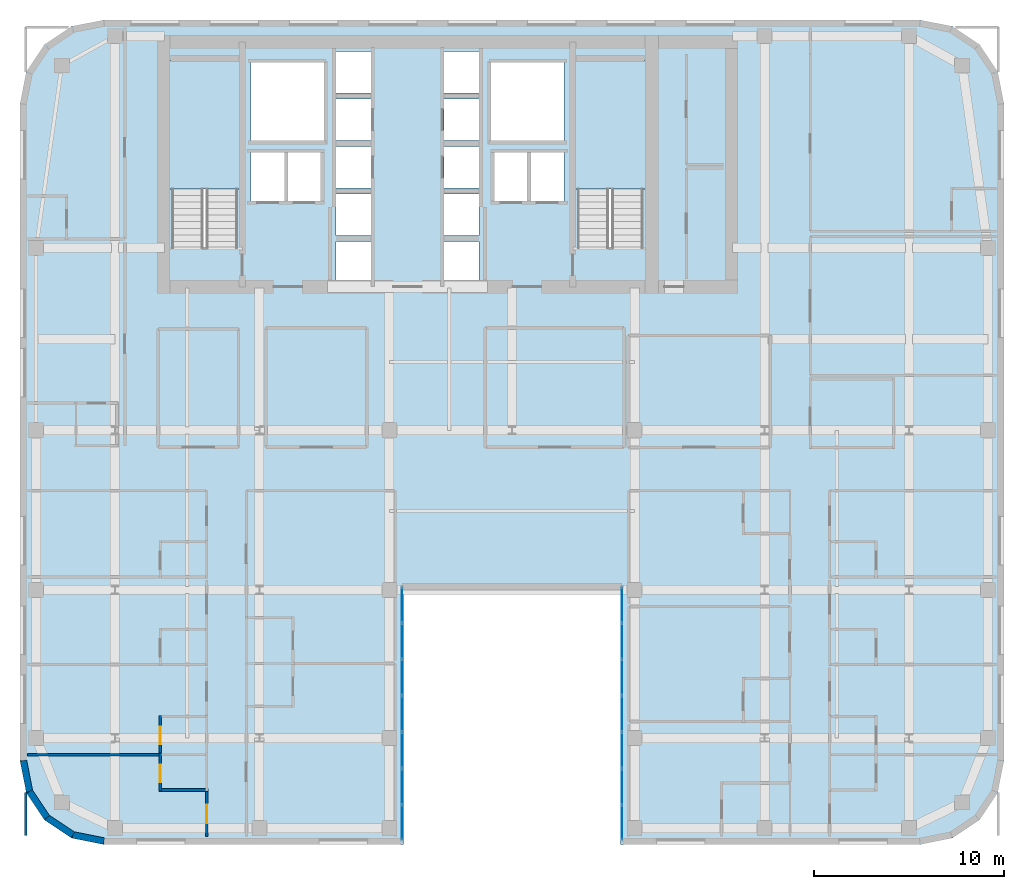
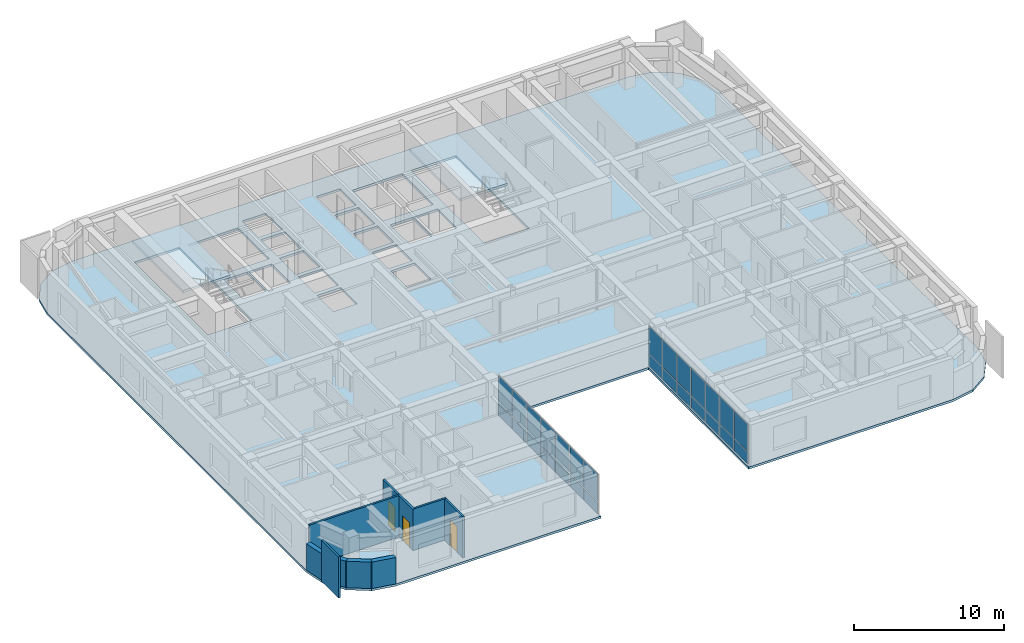
# One storey, part 6 of 14: 28 plates, 10 walls, 3 doors, 3 slabs, 3 openings, 4 elements without a shape of their own.
"""IFC4 building model written with IfcOpenShell, lengths in metres."""

from ifc_helpers import new_model, si_unit, direction, frame, frame_2d, origin, origin_2d, place, context, subcontext, project, spatial, polyline, rectangle, outline, extrude, source, transform, mapped, material, layer, layer_set, type_object, type_shapes, element, fill, aggregate, save


model = new_model("IFC4")

# Units and contexts
model_context = context("Model", 3, precision=1e-05, world=origin(), true_north=direction((0.0, 1.0)))
body_context = subcontext(model_context, "Body", "Model", "MODEL_VIEW")
ifc_project = project(units=[si_unit("LENGTHUNIT", "METRE"), si_unit("AREAUNIT", "SQUARE_METRE"), si_unit("VOLUMEUNIT", "CUBIC_METRE"), si_unit("PLANEANGLEUNIT", "RADIAN"), si_unit("MASSUNIT", "GRAM", prefix="KILO")], contexts=[model_context])

# Site, building, storey
site_placement = place(None, origin())
site = spatial("IfcSite", under=ifc_project, at=site_placement, CompositionType="ELEMENT")
building_placement = place(site_placement, origin())
building = spatial("IfcBuilding", under=site, at=building_placement, Name="Tolvann Quenvar Hotel", CompositionType="ELEMENT")
storey_placement = place(building_placement, frame((0.0, 0.0, 150.60009765625)))
storey = spatial("IfcBuildingStorey", under=building, at=storey_placement, Name="L39", CompositionType="ELEMENT", Elevation=150.60009765625)

# Stair, slab
ifc_material_1 = material(Name="Concrete N40 (40 MPa)", Category="concrete")
stair_type = type_object("IfcStairType", Name="STAIR", PredefinedType="HALF_TURN_STAIR", material=ifc_material_1)
stair_1_placement = place(storey_placement, origin())
stair_1 = element("IfcStair", 1, at=stair_1_placement, inside=storey, type_object=stair_type, Name="L39 ST-C1", PredefinedType="HALF_TURN_STAIR")
ifc_layer_1 = layer(ifc_material_1, 0.199951171875)
ifc_layer_set_1 = layer_set([ifc_layer_1], Name="Concrete N40 (40 MPa)")
slab_type_1 = type_object("IfcSlabType", Name="SLAB_LANDING", PredefinedType="LANDING", material=ifc_layer_set_1)
slab_1_placement = place(storey_placement, frame((0.0, 0.0, 1.574951171875)))
slab_1 = element("IfcSlab", 2, at=slab_1_placement, type_object=slab_type_1, Name="ST-C1 landing 1", PredefinedType="LANDING", context=body_context, shape_type="SweptSolid", body=[
    extrude(outline(polyline([(14.179931640625, 37.10498046875), (14.179931640625, 43.8798828125), (10.469970703125, 43.8798828125), (10.469970703125, 37.10498046875), (14.179931640625, 37.10498046875)])), origin(), (0.0, 0.0, 1.0), 0.199951171875),
])
aggregate(stair_1, [slab_1])

stair_2_placement = place(storey_placement, origin())
stair_2 = element("IfcStair", 3, at=stair_2_placement, inside=storey, type_object=stair_type, Name="L39 ST-C2", PredefinedType="HALF_TURN_STAIR")
slab_2_placement = place(storey_placement, frame((0.0, 0.0, 1.574951171875)))
slab_2 = element("IfcSlab", 4, at=slab_2_placement, type_object=slab_type_1, Name="ST-C2 landing 1", PredefinedType="LANDING", context=body_context, shape_type="SweptSolid", body=[
    extrude(outline(polyline([(35.530029296875, 37.10498046875), (35.530029296875, 43.8798828125), (31.820068359375, 43.8798828125), (31.820068359375, 37.10498046875), (35.530029296875, 37.10498046875)])), origin(), (0.0, 0.0, 1.0), 0.199951171875),
])
aggregate(stair_2, [slab_2])

# Slab
ifc_layer_2 = layer(ifc_material_1, 0.179931640625)
ifc_layer_set_2 = layer_set([ifc_layer_2], Name="Concrete N40 (40 MPa)")
slab_type_2 = type_object("IfcSlabType", Name="SLAB_TWR_180", PredefinedType="FLOOR", material=ifc_layer_set_2)
slab_3_placement = place(storey_placement, frame((0.0, 0.0, -0.18017578125)))
element("IfcSlab", 5, at=slab_3_placement, inside=storey, type_object=slab_type_2, Name="Level L39 Structural Floor Slab", PredefinedType="FLOOR", context=body_context, shape_type="SweptSolid", body=[
    extrude(outline(polyline([(2.60009765625, 7.0), (2.934814453125, 5.316162109375), (3.888671875, 3.888671875), (5.316162109375, 2.934814453125), (7.0, 2.60009765625), (22.800048828125, 2.60009765625), (22.800048828125, 16.0), (34.199951171875, 16.0), (34.199951171875, 2.60009765625), (50.0, 2.60009765625), (51.683837890625, 2.934814453125), (53.111328125, 3.888671875), (54.065185546875, 5.316162109375), (54.39990234375, 7.0), (54.39990234375, 41.60009765625), (54.065185546875, 43.28369140625), (53.111328125, 44.711181640625), (51.683837890625, 45.6650390625), (50.0, 46.0), (7.0, 46.0), (5.316162109375, 45.6650390625), (3.888671875, 44.711181640625), (2.934814453125, 43.28369140625), (2.60009765625, 41.60009765625), (2.60009765625, 7.0)]), holes=[polyline([(31.949951171875, 34.02490234375), (31.949951171875, 43.800048828125), (35.39990234375, 43.800048828125), (35.39990234375, 34.02490234375), (31.949951171875, 34.02490234375)]), polyline([(29.449951171875, 39.02001953125), (31.25, 39.02001953125), (31.25, 36.47998046875), (29.449951171875, 36.47998046875), (29.449951171875, 39.02001953125)]), polyline([(31.25, 43.75), (31.25, 39.64990234375), (27.39990234375, 39.64990234375), (27.39990234375, 43.75), (31.25, 43.75)]), polyline([(27.574951171875, 39.02001953125), (29.324951171875, 39.02001953125), (29.324951171875, 36.47998046875), (27.574951171875, 36.47998046875), (27.574951171875, 39.02001953125)]), polyline([(26.77001953125, 44.340087890625), (26.77001953125, 42.159912109375), (24.929931640625, 42.159912109375), (24.929931640625, 44.340087890625), (26.77001953125, 44.340087890625)]), polyline([(24.929931640625, 41.840087890625), (26.77001953125, 41.840087890625), (26.77001953125, 39.659912109375), (24.929931640625, 39.659912109375), (24.929931640625, 41.840087890625)]), polyline([(24.929931640625, 39.340087890625), (26.77001953125, 39.340087890625), (26.77001953125, 37.159912109375), (24.929931640625, 37.159912109375), (24.929931640625, 39.340087890625)]), polyline([(24.929931640625, 36.840087890625), (26.77001953125, 36.840087890625), (26.77001953125, 34.659912109375), (24.929931640625, 34.659912109375), (24.929931640625, 36.840087890625)]), polyline([(24.929931640625, 34.340087890625), (26.77001953125, 34.340087890625), (26.77001953125, 32.159912109375), (24.929931640625, 32.159912109375), (24.929931640625, 34.340087890625)]), polyline([(21.070068359375, 44.340087890625), (21.070068359375, 42.159912109375), (19.22998046875, 42.159912109375), (19.22998046875, 44.340087890625), (21.070068359375, 44.340087890625)]), polyline([(19.22998046875, 41.840087890625), (21.070068359375, 41.840087890625), (21.070068359375, 39.659912109375), (19.22998046875, 39.659912109375), (19.22998046875, 41.840087890625)]), polyline([(19.22998046875, 39.340087890625), (21.070068359375, 39.340087890625), (21.070068359375, 37.159912109375), (19.22998046875, 37.159912109375), (19.22998046875, 39.340087890625)]), polyline([(19.22998046875, 36.840087890625), (21.070068359375, 36.840087890625), (21.070068359375, 34.659912109375), (19.22998046875, 34.659912109375), (19.22998046875, 36.840087890625)]), polyline([(19.22998046875, 34.340087890625), (21.070068359375, 34.340087890625), (21.070068359375, 32.159912109375), (19.22998046875, 32.159912109375), (19.22998046875, 34.340087890625)]), polyline([(18.60009765625, 43.75), (18.60009765625, 39.64990234375), (14.75, 39.64990234375), (14.75, 43.75), (18.60009765625, 43.75)]), polyline([(16.675048828125, 39.02001953125), (18.425048828125, 39.02001953125), (18.425048828125, 36.47998046875), (16.675048828125, 36.47998046875), (16.675048828125, 39.02001953125)]), polyline([(14.75, 39.02001953125), (16.550048828125, 39.02001953125), (16.550048828125, 36.47998046875), (14.75, 36.47998046875), (14.75, 39.02001953125)]), polyline([(10.60009765625, 34.02490234375), (10.60009765625, 43.800048828125), (14.050048828125, 43.800048828125), (14.050048828125, 34.02490234375), (10.60009765625, 34.02490234375)])]), origin(), (0.0, 0.0, 1.0), 0.18017578125),
])

# Curtain wall, plates
ifc_material_2 = material(Name="Thermally broken anodised architectural aluminium 6063-T6 and laminated low-E glass", Category="aluminium")
ifc_layer_3 = layer(ifc_material_2, 0.179931640625)
ifc_layer_set_3 = layer_set([ifc_layer_3], Name="Thermally broken anodised architectural aluminium 6063-T6 and laminated low-E glass")
curtain_wall_type = type_object("IfcCurtainWallType", Name="CW_SYS_SLOT_03", PredefinedType="USERDEFINED", material=ifc_layer_set_3)
curtain_wall_1_placement = place(storey_placement, origin())
curtain_wall_1 = element("IfcCurtainWall", 6, at=curtain_wall_1_placement, inside=storey, type_object=curtain_wall_type, Name="Curtain Wall CW-SLOT-03 (CWR-L39-E05)", ObjectType="UNITISED CURTAIN WALL", PredefinedType="USERDEFINED")
ifc_material_3 = material(Name="Low-iron laminated double glazing with solar-control coating", Category="glass")
ifc_layer_4 = layer(ifc_material_3, 0.028076171875)
ifc_layer_set_4 = layer_set([ifc_layer_4], Name="Low-iron laminated double glazing with solar-control coating")
plate_type = type_object("IfcPlateType", Name="CW_PAN_VISION_28", PredefinedType="CURTAIN_PANEL", material=ifc_layer_set_4)
shared_shape_1 = source(origin(), body_context, "Body", "SweptSolid", [
    extrude(rectangle(XDim=1.809326171875, YDim=0.028076171875, at=origin_2d()), origin(), (0.0, 0.0, 1.0), 0.9599609375),
])
plate_1_placement = place(storey_placement, frame((22.7099609375, 3.749755859375, 0.059814453125), z_axis=(0.0, 0.0, 1.0), x_axis=(0.0, 1.0, 0.0)))
plate_1 = element("IfcPlate", 7, at=plate_1_placement, type_object=plate_type, Name="CW-SLOT-03 panel 1.1", PredefinedType="CURTAIN_PANEL", context=body_context, shape_type="MappedRepresentation", body=[
    mapped(shared_shape_1, transform((0.0, 0.0, 0.0), x_axis=(1.0, 0.0, 0.0), y_axis=(0.0, 1.0, 0.0), z_axis=(0.0, 0.0, 1.0), scale=1.0)),
])
plate_2_placement = place(storey_placement, frame((22.7099609375, 15.200439453125, 0.059814453125), z_axis=(0.0, 0.0, 1.0), x_axis=(0.0, 1.0, 0.0)))
plate_2 = element("IfcPlate", 8, at=plate_2_placement, type_object=plate_type, Name="CW-SLOT-03 panel 7.1", PredefinedType="CURTAIN_PANEL", context=body_context, shape_type="MappedRepresentation", body=[
    mapped(shared_shape_1, transform((0.0, 0.0, 0.0), x_axis=(1.0, 0.0, 0.0), y_axis=(0.0, 1.0, 0.0), z_axis=(0.0, 0.0, 1.0), scale=1.0)),
])

curtain_wall_2_placement = place(storey_placement, origin())
curtain_wall_2 = element("IfcCurtainWall", 9, at=curtain_wall_2_placement, inside=storey, type_object=curtain_wall_type, Name="Curtain Wall CW-SLOT-03 (CWR-L39-E07)", ObjectType="UNITISED CURTAIN WALL", PredefinedType="USERDEFINED")
plate_3_placement = place(storey_placement, frame((34.2900390625, 15.200439453125, 0.059814453125), z_axis=(0.0, 0.0, 1.0), x_axis=(0.0, -1.0, 0.0)))
plate_3 = element("IfcPlate", 10, at=plate_3_placement, type_object=plate_type, Name="CW-SLOT-03 panel 1.1", PredefinedType="CURTAIN_PANEL", context=body_context, shape_type="MappedRepresentation", body=[
    mapped(shared_shape_1, transform((0.0, 0.0, 0.0), x_axis=(1.0, 0.0, 0.0), y_axis=(0.0, 1.0, 0.0), z_axis=(0.0, 0.0, 1.0), scale=1.0)),
])
plate_4_placement = place(storey_placement, frame((34.2900390625, 3.749755859375, 0.059814453125), z_axis=(0.0, 0.0, 1.0), x_axis=(0.0, -1.0, 0.0)))
plate_4 = element("IfcPlate", 11, at=plate_4_placement, type_object=plate_type, Name="CW-SLOT-03 panel 7.1", PredefinedType="CURTAIN_PANEL", context=body_context, shape_type="MappedRepresentation", body=[
    mapped(shared_shape_1, transform((0.0, 0.0, 0.0), x_axis=(1.0, 0.0, 0.0), y_axis=(0.0, 1.0, 0.0), z_axis=(0.0, 0.0, 1.0), scale=1.0)),
])

# Plate
shared_shape_2 = source(origin(), body_context, "Body", "SweptSolid", [
    extrude(rectangle(XDim=1.809326171875, YDim=0.028076171875, at=origin_2d()), origin(), (0.0, 0.0, 1.0), 2.22998046875),
])
plate_5_placement = place(storey_placement, frame((22.7099609375, 3.749755859375, 1.079833984375), z_axis=(0.0, 0.0, 1.0), x_axis=(0.0, 1.0, 0.0)))
plate_5 = element("IfcPlate", 12, at=plate_5_placement, type_object=plate_type, Name="CW-SLOT-03 panel 1.2", PredefinedType="CURTAIN_PANEL", context=body_context, shape_type="MappedRepresentation", body=[
    mapped(shared_shape_2, transform((0.0, 0.0, 0.0), x_axis=(1.0, 0.0, 0.0), y_axis=(0.0, 1.0, 0.0), z_axis=(0.0, 0.0, 1.0), scale=1.0)),
])

plate_6_placement = place(storey_placement, frame((22.7099609375, 15.200439453125, 1.079833984375), z_axis=(0.0, 0.0, 1.0), x_axis=(0.0, 1.0, 0.0)))
plate_6 = element("IfcPlate", 13, at=plate_6_placement, type_object=plate_type, Name="CW-SLOT-03 panel 7.2", PredefinedType="CURTAIN_PANEL", context=body_context, shape_type="MappedRepresentation", body=[
    mapped(shared_shape_2, transform((0.0, 0.0, 0.0), x_axis=(1.0, 0.0, 0.0), y_axis=(0.0, 1.0, 0.0), z_axis=(0.0, 0.0, 1.0), scale=1.0)),
])

plate_7_placement = place(storey_placement, frame((34.2900390625, 15.200439453125, 1.079833984375), z_axis=(0.0, 0.0, 1.0), x_axis=(0.0, -1.0, 0.0)))
plate_7 = element("IfcPlate", 14, at=plate_7_placement, type_object=plate_type, Name="CW-SLOT-03 panel 1.2", PredefinedType="CURTAIN_PANEL", context=body_context, shape_type="MappedRepresentation", body=[
    mapped(shared_shape_2, transform((0.0, 0.0, 0.0), x_axis=(1.0, 0.0, 0.0), y_axis=(0.0, 1.0, 0.0), z_axis=(0.0, 0.0, 1.0), scale=1.0)),
])

plate_8_placement = place(storey_placement, frame((34.2900390625, 3.749755859375, 1.079833984375), z_axis=(0.0, 0.0, 1.0), x_axis=(0.0, -1.0, 0.0)))
plate_8 = element("IfcPlate", 15, at=plate_8_placement, type_object=plate_type, Name="CW-SLOT-03 panel 7.2", PredefinedType="CURTAIN_PANEL", context=body_context, shape_type="MappedRepresentation", body=[
    mapped(shared_shape_2, transform((0.0, 0.0, 0.0), x_axis=(1.0, 0.0, 0.0), y_axis=(0.0, 1.0, 0.0), z_axis=(0.0, 0.0, 1.0), scale=1.0)),
])

shared_shape_3 = source(origin(), body_context, "Body", "SweptSolid", [
    extrude(rectangle(XDim=1.84423828125, YDim=0.028076171875, at=origin_2d()), origin(), (0.0, 0.0, 1.0), 0.9599609375),
])
plate_9_placement = place(storey_placement, frame((22.7099609375, 5.646484375, 0.059814453125), z_axis=(0.0, 0.0, 1.0), x_axis=(0.0, 1.0, 0.0)))
plate_9 = element("IfcPlate", 16, at=plate_9_placement, type_object=plate_type, Name="CW-SLOT-03 panel 2.1", PredefinedType="CURTAIN_PANEL", context=body_context, shape_type="MappedRepresentation", body=[
    mapped(shared_shape_3, transform((0.0, 0.0, 0.0), x_axis=(1.0, 0.0, 0.0), y_axis=(0.0, 1.0, 0.0), z_axis=(0.0, 0.0, 1.0), scale=1.0)),
])

plate_10_placement = place(storey_placement, frame((22.7099609375, 7.560791015625, 0.059814453125), z_axis=(0.0, 0.0, 1.0), x_axis=(0.0, 1.0, 0.0)))
plate_10 = element("IfcPlate", 17, at=plate_10_placement, type_object=plate_type, Name="CW-SLOT-03 panel 3.1", PredefinedType="CURTAIN_PANEL", context=body_context, shape_type="MappedRepresentation", body=[
    mapped(shared_shape_3, transform((0.0, 0.0, 0.0), x_axis=(1.0, 0.0, 0.0), y_axis=(0.0, 1.0, 0.0), z_axis=(0.0, 0.0, 1.0), scale=1.0)),
])

plate_11_placement = place(storey_placement, frame((22.7099609375, 9.47509765625, 0.059814453125), z_axis=(0.0, 0.0, 1.0), x_axis=(0.0, 1.0, 0.0)))
plate_11 = element("IfcPlate", 18, at=plate_11_placement, type_object=plate_type, Name="CW-SLOT-03 panel 4.1", PredefinedType="CURTAIN_PANEL", context=body_context, shape_type="MappedRepresentation", body=[
    mapped(shared_shape_3, transform((0.0, 0.0, 0.0), x_axis=(1.0, 0.0, 0.0), y_axis=(0.0, 1.0, 0.0), z_axis=(0.0, 0.0, 1.0), scale=1.0)),
])

plate_12_placement = place(storey_placement, frame((22.7099609375, 11.389404296875, 0.059814453125), z_axis=(0.0, 0.0, 1.0), x_axis=(0.0, 1.0, 0.0)))
plate_12 = element("IfcPlate", 19, at=plate_12_placement, type_object=plate_type, Name="CW-SLOT-03 panel 5.1", PredefinedType="CURTAIN_PANEL", context=body_context, shape_type="MappedRepresentation", body=[
    mapped(shared_shape_3, transform((0.0, 0.0, 0.0), x_axis=(1.0, 0.0, 0.0), y_axis=(0.0, 1.0, 0.0), z_axis=(0.0, 0.0, 1.0), scale=1.0)),
])

plate_13_placement = place(storey_placement, frame((22.7099609375, 13.303466796875, 0.059814453125), z_axis=(0.0, 0.0, 1.0), x_axis=(0.0, 1.0, 0.0)))
plate_13 = element("IfcPlate", 20, at=plate_13_placement, type_object=plate_type, Name="CW-SLOT-03 panel 6.1", PredefinedType="CURTAIN_PANEL", context=body_context, shape_type="MappedRepresentation", body=[
    mapped(shared_shape_3, transform((0.0, 0.0, 0.0), x_axis=(1.0, 0.0, 0.0), y_axis=(0.0, 1.0, 0.0), z_axis=(0.0, 0.0, 1.0), scale=1.0)),
])

plate_14_placement = place(storey_placement, frame((34.2900390625, 13.303466796875, 0.059814453125), z_axis=(0.0, 0.0, 1.0), x_axis=(0.0, -1.0, 0.0)))
plate_14 = element("IfcPlate", 21, at=plate_14_placement, type_object=plate_type, Name="CW-SLOT-03 panel 2.1", PredefinedType="CURTAIN_PANEL", context=body_context, shape_type="MappedRepresentation", body=[
    mapped(shared_shape_3, transform((0.0, 0.0, 0.0), x_axis=(1.0, 0.0, 0.0), y_axis=(0.0, 1.0, 0.0), z_axis=(0.0, 0.0, 1.0), scale=1.0)),
])

plate_15_placement = place(storey_placement, frame((34.2900390625, 11.389404296875, 0.059814453125), z_axis=(0.0, 0.0, 1.0), x_axis=(0.0, -1.0, 0.0)))
plate_15 = element("IfcPlate", 22, at=plate_15_placement, type_object=plate_type, Name="CW-SLOT-03 panel 3.1", PredefinedType="CURTAIN_PANEL", context=body_context, shape_type="MappedRepresentation", body=[
    mapped(shared_shape_3, transform((0.0, 0.0, 0.0), x_axis=(1.0, 0.0, 0.0), y_axis=(0.0, 1.0, 0.0), z_axis=(0.0, 0.0, 1.0), scale=1.0)),
])

plate_16_placement = place(storey_placement, frame((34.2900390625, 9.47509765625, 0.059814453125), z_axis=(0.0, 0.0, 1.0), x_axis=(0.0, -1.0, 0.0)))
plate_16 = element("IfcPlate", 23, at=plate_16_placement, type_object=plate_type, Name="CW-SLOT-03 panel 4.1", PredefinedType="CURTAIN_PANEL", context=body_context, shape_type="MappedRepresentation", body=[
    mapped(shared_shape_3, transform((0.0, 0.0, 0.0), x_axis=(1.0, 0.0, 0.0), y_axis=(0.0, 1.0, 0.0), z_axis=(0.0, 0.0, 1.0), scale=1.0)),
])

plate_17_placement = place(storey_placement, frame((34.2900390625, 7.560791015625, 0.059814453125), z_axis=(0.0, 0.0, 1.0), x_axis=(0.0, -1.0, 0.0)))
plate_17 = element("IfcPlate", 24, at=plate_17_placement, type_object=plate_type, Name="CW-SLOT-03 panel 5.1", PredefinedType="CURTAIN_PANEL", context=body_context, shape_type="MappedRepresentation", body=[
    mapped(shared_shape_3, transform((0.0, 0.0, 0.0), x_axis=(1.0, 0.0, 0.0), y_axis=(0.0, 1.0, 0.0), z_axis=(0.0, 0.0, 1.0), scale=1.0)),
])

plate_18_placement = place(storey_placement, frame((34.2900390625, 5.646484375, 0.059814453125), z_axis=(0.0, 0.0, 1.0), x_axis=(0.0, -1.0, 0.0)))
plate_18 = element("IfcPlate", 25, at=plate_18_placement, type_object=plate_type, Name="CW-SLOT-03 panel 6.1", PredefinedType="CURTAIN_PANEL", context=body_context, shape_type="MappedRepresentation", body=[
    mapped(shared_shape_3, transform((0.0, 0.0, 0.0), x_axis=(1.0, 0.0, 0.0), y_axis=(0.0, 1.0, 0.0), z_axis=(0.0, 0.0, 1.0), scale=1.0)),
])

shared_shape_4 = source(origin(), body_context, "Body", "SweptSolid", [
    extrude(rectangle(XDim=1.84423828125, YDim=0.028076171875, at=origin_2d()), origin(), (0.0, 0.0, 1.0), 2.22998046875),
])
type_shapes(plate_type, [shared_shape_1, shared_shape_2, shared_shape_3, shared_shape_4])
plate_19_placement = place(storey_placement, frame((22.7099609375, 5.646484375, 1.079833984375), z_axis=(0.0, 0.0, 1.0), x_axis=(0.0, 1.0, 0.0)))
plate_19 = element("IfcPlate", 26, at=plate_19_placement, type_object=plate_type, Name="CW-SLOT-03 panel 2.2", PredefinedType="CURTAIN_PANEL", context=body_context, shape_type="MappedRepresentation", body=[
    mapped(shared_shape_4, transform((0.0, 0.0, 0.0), x_axis=(1.0, 0.0, 0.0), y_axis=(0.0, 1.0, 0.0), z_axis=(0.0, 0.0, 1.0), scale=1.0)),
])

plate_20_placement = place(storey_placement, frame((22.7099609375, 7.560791015625, 1.079833984375), z_axis=(0.0, 0.0, 1.0), x_axis=(0.0, 1.0, 0.0)))
plate_20 = element("IfcPlate", 27, at=plate_20_placement, type_object=plate_type, Name="CW-SLOT-03 panel 3.2", PredefinedType="CURTAIN_PANEL", context=body_context, shape_type="MappedRepresentation", body=[
    mapped(shared_shape_4, transform((0.0, 0.0, 0.0), x_axis=(1.0, 0.0, 0.0), y_axis=(0.0, 1.0, 0.0), z_axis=(0.0, 0.0, 1.0), scale=1.0)),
])

plate_21_placement = place(storey_placement, frame((22.7099609375, 9.47509765625, 1.079833984375), z_axis=(0.0, 0.0, 1.0), x_axis=(0.0, 1.0, 0.0)))
plate_21 = element("IfcPlate", 28, at=plate_21_placement, type_object=plate_type, Name="CW-SLOT-03 panel 4.2", PredefinedType="CURTAIN_PANEL", context=body_context, shape_type="MappedRepresentation", body=[
    mapped(shared_shape_4, transform((0.0, 0.0, 0.0), x_axis=(1.0, 0.0, 0.0), y_axis=(0.0, 1.0, 0.0), z_axis=(0.0, 0.0, 1.0), scale=1.0)),
])

plate_22_placement = place(storey_placement, frame((22.7099609375, 11.389404296875, 1.079833984375), z_axis=(0.0, 0.0, 1.0), x_axis=(0.0, 1.0, 0.0)))
plate_22 = element("IfcPlate", 29, at=plate_22_placement, type_object=plate_type, Name="CW-SLOT-03 panel 5.2", PredefinedType="CURTAIN_PANEL", context=body_context, shape_type="MappedRepresentation", body=[
    mapped(shared_shape_4, transform((0.0, 0.0, 0.0), x_axis=(1.0, 0.0, 0.0), y_axis=(0.0, 1.0, 0.0), z_axis=(0.0, 0.0, 1.0), scale=1.0)),
])

plate_23_placement = place(storey_placement, frame((22.7099609375, 13.303466796875, 1.079833984375), z_axis=(0.0, 0.0, 1.0), x_axis=(0.0, 1.0, 0.0)))
plate_23 = element("IfcPlate", 30, at=plate_23_placement, type_object=plate_type, Name="CW-SLOT-03 panel 6.2", PredefinedType="CURTAIN_PANEL", context=body_context, shape_type="MappedRepresentation", body=[
    mapped(shared_shape_4, transform((0.0, 0.0, 0.0), x_axis=(1.0, 0.0, 0.0), y_axis=(0.0, 1.0, 0.0), z_axis=(0.0, 0.0, 1.0), scale=1.0)),
])

aggregate(curtain_wall_1, [plate_1, plate_5, plate_9, plate_19, plate_10, plate_20, plate_11, plate_21, plate_12, plate_22, plate_13, plate_23, plate_2, plate_6])

plate_24_placement = place(storey_placement, frame((34.2900390625, 13.303466796875, 1.079833984375), z_axis=(0.0, 0.0, 1.0), x_axis=(0.0, -1.0, 0.0)))
plate_24 = element("IfcPlate", 31, at=plate_24_placement, type_object=plate_type, Name="CW-SLOT-03 panel 2.2", PredefinedType="CURTAIN_PANEL", context=body_context, shape_type="MappedRepresentation", body=[
    mapped(shared_shape_4, transform((0.0, 0.0, 0.0), x_axis=(1.0, 0.0, 0.0), y_axis=(0.0, 1.0, 0.0), z_axis=(0.0, 0.0, 1.0), scale=1.0)),
])

plate_25_placement = place(storey_placement, frame((34.2900390625, 11.389404296875, 1.079833984375), z_axis=(0.0, 0.0, 1.0), x_axis=(0.0, -1.0, 0.0)))
plate_25 = element("IfcPlate", 32, at=plate_25_placement, type_object=plate_type, Name="CW-SLOT-03 panel 3.2", PredefinedType="CURTAIN_PANEL", context=body_context, shape_type="MappedRepresentation", body=[
    mapped(shared_shape_4, transform((0.0, 0.0, 0.0), x_axis=(1.0, 0.0, 0.0), y_axis=(0.0, 1.0, 0.0), z_axis=(0.0, 0.0, 1.0), scale=1.0)),
])

plate_26_placement = place(storey_placement, frame((34.2900390625, 9.47509765625, 1.079833984375), z_axis=(0.0, 0.0, 1.0), x_axis=(0.0, -1.0, 0.0)))
plate_26 = element("IfcPlate", 33, at=plate_26_placement, type_object=plate_type, Name="CW-SLOT-03 panel 4.2", PredefinedType="CURTAIN_PANEL", context=body_context, shape_type="MappedRepresentation", body=[
    mapped(shared_shape_4, transform((0.0, 0.0, 0.0), x_axis=(1.0, 0.0, 0.0), y_axis=(0.0, 1.0, 0.0), z_axis=(0.0, 0.0, 1.0), scale=1.0)),
])

plate_27_placement = place(storey_placement, frame((34.2900390625, 7.560791015625, 1.079833984375), z_axis=(0.0, 0.0, 1.0), x_axis=(0.0, -1.0, 0.0)))
plate_27 = element("IfcPlate", 34, at=plate_27_placement, type_object=plate_type, Name="CW-SLOT-03 panel 5.2", PredefinedType="CURTAIN_PANEL", context=body_context, shape_type="MappedRepresentation", body=[
    mapped(shared_shape_4, transform((0.0, 0.0, 0.0), x_axis=(1.0, 0.0, 0.0), y_axis=(0.0, 1.0, 0.0), z_axis=(0.0, 0.0, 1.0), scale=1.0)),
])

plate_28_placement = place(storey_placement, frame((34.2900390625, 5.646484375, 1.079833984375), z_axis=(0.0, 0.0, 1.0), x_axis=(0.0, -1.0, 0.0)))
plate_28 = element("IfcPlate", 35, at=plate_28_placement, type_object=plate_type, Name="CW-SLOT-03 panel 6.2", PredefinedType="CURTAIN_PANEL", context=body_context, shape_type="MappedRepresentation", body=[
    mapped(shared_shape_4, transform((0.0, 0.0, 0.0), x_axis=(1.0, 0.0, 0.0), y_axis=(0.0, 1.0, 0.0), z_axis=(0.0, 0.0, 1.0), scale=1.0)),
])

aggregate(curtain_wall_2, [plate_3, plate_7, plate_14, plate_24, plate_15, plate_25, plate_16, plate_26, plate_17, plate_27, plate_18, plate_28, plate_4, plate_8])

# Walls
ifc_material_4 = material(Name="Kiln-fired red and buff architectural clay brickwork and terracotta masonry", Category="masonry")
ifc_layer_5 = layer(ifc_material_4, 0.35009765625)
ifc_layer_set_5 = layer_set([ifc_layer_5], Name="Kiln-fired red and buff architectural clay brickwork and terracotta masonry")
wall_type_1 = type_object("IfcWallType", Name="WALL_EXT_BRICK_350", PredefinedType="SOLIDWALL", material=ifc_layer_set_5)
for number, where, z_axis, x_axis, name in (
    (36, (3.099609375, 5.384521484375, 0.0), (0.0, 0.0, 1.0), (0.555623290322, -0.831434158098, 0.0), "Exterior Chicago Brick Wall L39-E01"),
    (37, (4.014892578125, 4.014892578125, 0.0), (0.0, 0.0, 1.0), (0.831434158098, -0.555623290322, 0.0), "Exterior Chicago Brick Wall L39-E02"),
):
    element("IfcWall", number, at=place(storey_placement, frame(where, z_axis=z_axis, x_axis=x_axis)), inside=storey, type_object=wall_type_1, Name=name, PredefinedType="SOLIDWALL", context=body_context, shape_type="SweptSolid", body=[
        extrude(rectangle(XDim=1.647216796875, YDim=0.35009765625, at=frame_2d((0.82373046875, 0.0))), origin(), (0.0, 0.0, 1.0), 2.159912109375),
    ])
for number, where, z_axis, x_axis, name in (
    (38, (5.384521484375, 3.099609375, 0.0), (0.0, 0.0, 1.0), (0.980788844421, -0.195072403631, 0.0), "Exterior Chicago Brick Wall L39-E03"),
    (39, (2.77490234375, 7.01708984375, 0.0), (0.0, 0.0, 1.0), (0.195072403631, -0.980788844421, 0.0), "Exterior Chicago Brick Wall L39-E24"),
):
    element("IfcWall", number, at=place(storey_placement, frame(where, z_axis=z_axis, x_axis=x_axis)), inside=storey, type_object=wall_type_1, Name=name, PredefinedType="SOLIDWALL", context=body_context, shape_type="SweptSolid", body=[
        extrude(rectangle(XDim=1.66455078125, YDim=0.35009765625, at=frame_2d((0.832275390625, 0.0))), origin(), (0.0, 0.0, 1.0), 2.159912109375),
    ])

# Wall, opening, door
ifc_material_5 = material(Name="Acoustic twin-stud fire-rated gypsum plasterboard partition")
ifc_layer_6 = layer(ifc_material_5, 0.14990234375)
ifc_layer_set_6 = layer_set([ifc_layer_6], Name="Acoustic twin-stud fire-rated gypsum plasterboard partition")
wall_type_2 = type_object("IfcWallType", Name="WALL_PART_SUITE_150", PredefinedType="PARTITIONING", material=ifc_layer_set_6)
wall_1_placement = place(storey_placement, frame((9.97998046875, 5.39990234375, 0.0), z_axis=(0.0, 0.0, 1.0), x_axis=(0.0, 1.0, 0.0)))
wall_1 = element("IfcWall", 40, at=wall_1_placement, inside=storey, type_object=wall_type_2, Name="Interior Partition PT-SPC-L39-ENS-WO01-ENT", PredefinedType="PARTITIONING", context=body_context, shape_type="SweptSolid", body=[
    extrude(rectangle(XDim=1.989990234375, YDim=0.14990234375, at=frame_2d((0.9951171875, 0.0))), origin(), (0.0, 0.0, 1.0), 3.369873046875),
])
opening_1_placement = place(wall_1_placement, frame((0.465087890625, 0.0, 0.0)))
opening_1 = element("IfcOpeningElement", 41, at=opening_1_placement, cuts=wall_1, Name="Opening WD-01", PredefinedType="OPENING", context=body_context, shape_type="SweptSolid", body=[
    extrude(rectangle(XDim=0.919921875, YDim=2.010009765625, at=frame_2d((0.4599609375, 1.0048828125))), frame((0.0, 0.0849609375, 0.0), z_axis=(0.0, -1.0, 0.0), x_axis=(1.0, 0.0, 0.0)), (0.0, 0.0, 1.0), 0.169921875),
])
ifc_material_6 = material(Name="Solid-core American oak acoustic fire door leaf in steel frame", Category="steel")
door_type_1 = type_object("IfcDoorType", Name="DOOR_WC_920", OperationType="NOTDEFINED", PredefinedType="DOOR", material=ifc_material_6)
shared_shape_5 = source(origin(), body_context, "Body", "SweptSolid", [
    extrude(rectangle(XDim=0.919921875, YDim=2.010009765625, at=frame_2d((0.4599609375, 1.0048828125))), frame((0.0, 0.02490234375, 0.0), z_axis=(0.0, -1.0, 0.0), x_axis=(1.0, 0.0, 0.0)), (0.0, 0.0, 1.0), 0.050048828125),
])
type_shapes(door_type_1, [shared_shape_5])
door_1_placement = place(opening_1_placement, origin())
door_1 = element("IfcDoor", 42, at=door_1_placement, inside=storey, type_object=door_type_1, Name="Interior Door DOOR-SPC-L39-ENS-WO01", OperationType="SINGLE_SWING_RIGHT", OverallHeight=2.010009765625, OverallWidth=0.919921875, PredefinedType="DOOR", context=body_context, shape_type="MappedRepresentation", body=[
    mapped(shared_shape_5, transform((0.0, 0.0, 0.0), x_axis=(1.0, 0.0, 0.0), y_axis=(0.0, 1.0, 0.0), z_axis=(0.0, 0.0, 1.0), scale=1.0)),
])
fill(opening_1, door_1)

# Wall
wall_2_placement = place(storey_placement, frame((9.909912109375, 5.469970703125, 0.0), z_axis=(0.0, 0.0, 1.0), x_axis=(1.0, 0.0, 0.0)))
element("IfcWall", 43, at=wall_2_placement, inside=storey, type_object=wall_type_2, Name="Interior Partition PT-SPC-L39-ENS-WO01-S", PredefinedType="PARTITIONING", context=body_context, shape_type="SweptSolid", body=[
    extrude(rectangle(XDim=2.590087890625, YDim=0.14990234375, at=frame_2d((1.294921875, 0.0))), origin(), (0.0, 0.0, 1.0), 3.369873046875),
])

# Wall, opening, door
wall_3_placement = place(storey_placement, frame((9.97998046875, 7.409912109375, 0.0), z_axis=(0.0, 0.0, 1.0), x_axis=(0.0, 1.0, 0.0)))
wall_3 = element("IfcWall", 44, at=wall_3_placement, inside=storey, type_object=wall_type_2, Name="Interior Partition PT-SPC-L39-ENS-WO02-ENT", PredefinedType="PARTITIONING", context=body_context, shape_type="SweptSolid", body=[
    extrude(rectangle(XDim=1.989990234375, YDim=0.14990234375, at=frame_2d((0.9951171875, 0.0))), origin(), (0.0, 0.0, 1.0), 3.369873046875),
])
opening_2_placement = place(wall_3_placement, frame((0.465087890625, 0.0, 0.0)))
opening_2 = element("IfcOpeningElement", 45, at=opening_2_placement, cuts=wall_3, Name="Opening WD-01", PredefinedType="OPENING", context=body_context, shape_type="SweptSolid", body=[
    extrude(rectangle(XDim=0.919921875, YDim=2.010009765625, at=frame_2d((0.4599609375, 1.0048828125))), frame((0.0, 0.0849609375, 0.0), z_axis=(0.0, -1.0, 0.0), x_axis=(1.0, 0.0, 0.0)), (0.0, 0.0, 1.0), 0.169921875),
])
door_2_placement = place(opening_2_placement, origin())
door_2 = element("IfcDoor", 46, at=door_2_placement, inside=storey, type_object=door_type_1, Name="Interior Door DOOR-SPC-L39-ENS-WO02", OperationType="SINGLE_SWING_LEFT", OverallHeight=2.010009765625, OverallWidth=0.919921875, PredefinedType="DOOR", context=body_context, shape_type="MappedRepresentation", body=[
    mapped(shared_shape_5, transform((0.0, 0.0, 0.0), x_axis=(1.0, 0.0, 0.0), y_axis=(0.0, 1.0, 0.0), z_axis=(0.0, 0.0, 1.0), scale=1.0)),
])
fill(opening_2, door_2)

wall_4_placement = place(storey_placement, frame((12.429931640625, 3.0048828125, 0.0), z_axis=(0.0, 0.0, 1.0), x_axis=(0.0, 1.0, 0.0)))
wall_4 = element("IfcWall", 47, at=wall_4_placement, inside=storey, type_object=wall_type_2, Name="Interior Partition PT-SPC-L39-RM-WO01-ENT", PredefinedType="PARTITIONING", context=body_context, shape_type="SweptSolid", body=[
    extrude(rectangle(XDim=2.385009765625, YDim=0.14990234375, at=frame_2d((1.1923828125, 0.0))), origin(), (0.0, 0.0, 1.0), 3.369873046875),
])
opening_3_placement = place(wall_4_placement, frame((0.7099609375, 0.0, 0.0)))
opening_3 = element("IfcOpeningElement", 48, at=opening_3_placement, cuts=wall_4, Name="Opening SD-01", PredefinedType="OPENING", context=body_context, shape_type="SweptSolid", body=[
    extrude(rectangle(XDim=0.97998046875, YDim=2.1201171875, at=frame_2d((0.489990234375, 1.06005859375))), frame((0.0, 0.0849609375, 0.0), z_axis=(0.0, -1.0, 0.0), x_axis=(1.0, 0.0, 0.0)), (0.0, 0.0, 1.0), 0.169921875),
])
door_type_2 = type_object("IfcDoorType", Name="DOOR_SUITE_980", OperationType="NOTDEFINED", PredefinedType="DOOR", material=ifc_material_6)
shared_shape_6 = source(origin(), body_context, "Body", "SweptSolid", [
    extrude(rectangle(XDim=0.97998046875, YDim=2.1201171875, at=frame_2d((0.489990234375, 1.06005859375))), frame((0.0, 0.02490234375, 0.0), z_axis=(0.0, -1.0, 0.0), x_axis=(1.0, 0.0, 0.0)), (0.0, 0.0, 1.0), 0.050048828125),
])
type_shapes(door_type_2, [shared_shape_6])
door_3_placement = place(opening_3_placement, origin())
door_3 = element("IfcDoor", 49, at=door_3_placement, inside=storey, type_object=door_type_2, Name="Interior Door DOOR-SPC-L39-RM-WO01", OperationType="SINGLE_SWING_RIGHT", OverallHeight=2.1201171875, OverallWidth=0.97998046875, PredefinedType="DOOR", context=body_context, shape_type="MappedRepresentation", body=[
    mapped(shared_shape_6, transform((0.0, 0.0, 0.0), x_axis=(1.0, 0.0, 0.0), y_axis=(0.0, 1.0, 0.0), z_axis=(0.0, 0.0, 1.0), scale=1.0)),
])
fill(opening_3, door_3)

# Walls
wall_5_placement = place(storey_placement, frame((3.0048828125, 7.320068359375, 0.0), z_axis=(0.0, 0.0, 1.0), x_axis=(1.0, 0.0, 0.0)))
element("IfcWall", 50, at=wall_5_placement, inside=storey, type_object=wall_type_2, Name="Interior Partition PT-SPC-L39-RM-WO01-E5", PredefinedType="PARTITIONING", context=body_context, shape_type="SweptSolid", body=[
    extrude(rectangle(XDim=6.955078125, YDim=0.14990234375, at=frame_2d((3.4775390625, 0.0))), origin(), (0.0, 0.0, 1.0), 3.369873046875),
])
wall_6_placement = place(storey_placement, frame((2.89990234375, 3.080078125, 0.0), z_axis=(0.0, 0.0, 1.0), x_axis=(0.0, 1.0, 0.0)))
element("IfcWall", 51, at=wall_6_placement, inside=storey, type_object=wall_type_2, Name="Interior Partition PT-SPC-L39-RM-WO01-E6", PredefinedType="PARTITIONING", context=body_context, shape_type="SweptSolid", body=[
    extrude(rectangle(XDim=2.264892578125, YDim=0.14990234375, at=frame_2d((1.13232421875, 0.0))), origin(), (0.0, 0.0, 1.0), 3.369873046875),
])

save(model, "model.ifc")
